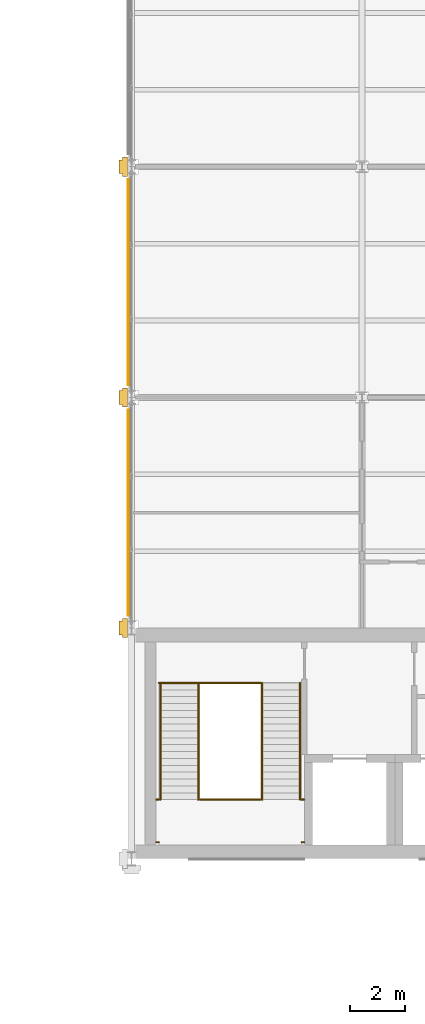
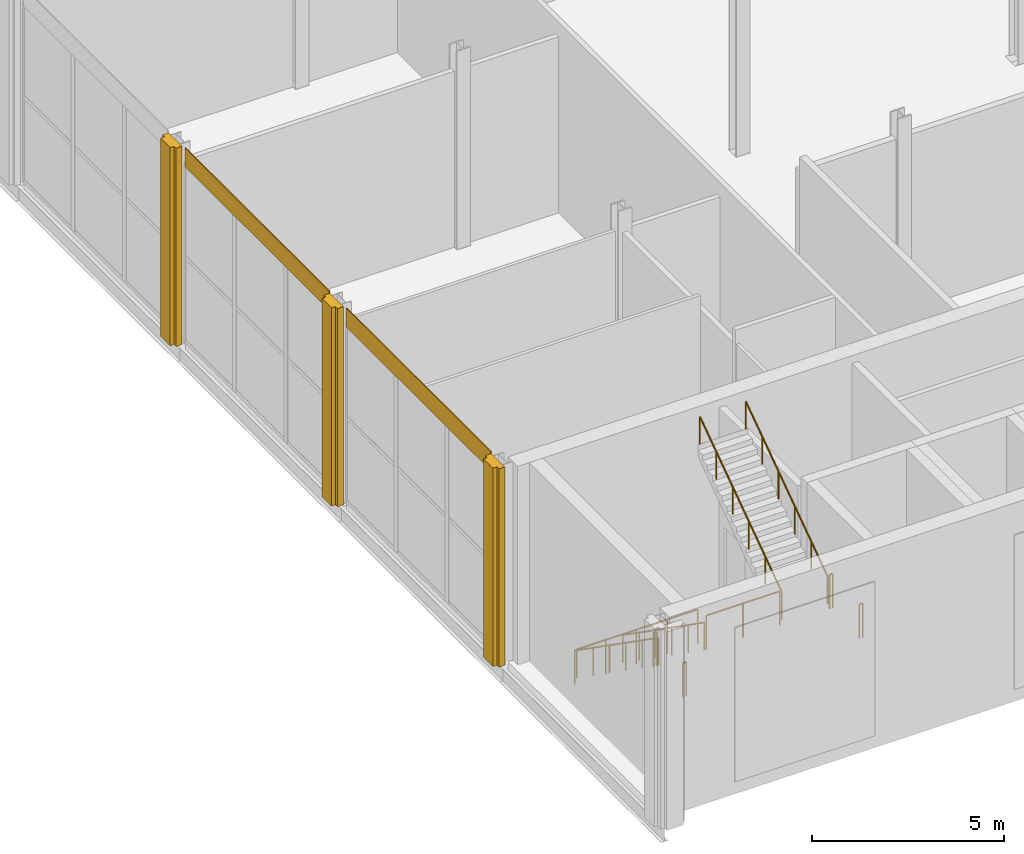
# One storey, part 72 of 77: 10 railings, 5 coverings.
"""IFC4 building model written with IfcOpenShell, lengths in metres."""

from ifc_helpers import new_model, si_unit, direction, frame, origin, origin_2d, place, context, subcontext, project, spatial, polyline, rectangle, circle, outline, extrude, material, layer, layer_set, type_object, element, save


model = new_model("IFC4")

# Units and contexts
model_context = context("Model", 3, precision=1e-05, world=origin(), true_north=direction((0.0, 1.0)))
body_context = subcontext(model_context, "Body", "Model", "MODEL_VIEW")
ifc_project = project(units=[si_unit("LENGTHUNIT", "METRE"), si_unit("AREAUNIT", "SQUARE_METRE"), si_unit("VOLUMEUNIT", "CUBIC_METRE"), si_unit("PLANEANGLEUNIT", "RADIAN"), si_unit("MASSUNIT", "GRAM", prefix="KILO")], contexts=[model_context])

# Site, building, storey
site_placement = place(None, origin())
site = spatial("IfcSite", under=ifc_project, at=site_placement, CompositionType="ELEMENT")
building_placement = place(site_placement, origin())
building = spatial("IfcBuilding", under=site, at=building_placement, Name="Catenary Quay Ferry Terminal", CompositionType="ELEMENT")
storey_placement = place(building_placement, frame((0.0, 0.0, 10.800048828125)))
storey = spatial("IfcBuildingStorey", under=building, at=storey_placement, Name="L02", CompositionType="ELEMENT", Elevation=10.800048828125)

# Coverings
ifc_material_1 = material(Name="Ceramic tile")
ifc_layer_1 = layer(ifc_material_1, 0.0400390625)
ifc_layer_set_1 = layer_set([ifc_layer_1], Name="CL2")
covering_type_1 = type_object("IfcCoveringType", Name="CL2", PredefinedType="CLADDING", material=ifc_layer_set_1)
covering_1_placement = place(storey_placement, origin())
element("IfcCovering", 1, at=covering_1_placement, inside=storey, type_object=covering_type_1, Name="Ceramic pier casing", PredefinedType="CLADDING", context=body_context, shape_type="SweptSolid", body=[
    extrude(outline(polyline([(25.050048828125, 168.35009765625), (24.8701171875, 168.35009765625), (24.8701171875, 168.25), (24.75, 168.25), (24.75, 167.75), (24.8701171875, 167.75), (24.8701171875, 167.64990234375), (25.050048828125, 167.64990234375), (25.050048828125, 168.35009765625)])), origin(), (0.0, 0.0, 1.0), 6.300048828125),
])
covering_2_placement = place(storey_placement, origin())
element("IfcCovering", 2, at=covering_2_placement, inside=storey, type_object=covering_type_1, Name="Ceramic pier casing", PredefinedType="CLADDING", context=body_context, shape_type="SweptSolid", body=[
    extrude(outline(polyline([(25.050048828125, 176.75), (24.8701171875, 176.75), (24.8701171875, 176.64990234375), (24.75, 176.64990234375), (24.75, 176.14990234375), (24.8701171875, 176.14990234375), (24.8701171875, 176.050048828125), (25.050048828125, 176.050048828125), (25.050048828125, 176.75)])), origin(), (0.0, 0.0, 1.0), 6.300048828125),
])
covering_3_placement = place(storey_placement, origin())
element("IfcCovering", 3, at=covering_3_placement, inside=storey, type_object=covering_type_1, Name="Ceramic pier casing", PredefinedType="CLADDING", context=body_context, shape_type="SweptSolid", body=[
    extrude(outline(polyline([(25.050048828125, 185.14990234375), (24.8701171875, 185.14990234375), (24.8701171875, 185.050048828125), (24.75, 185.050048828125), (24.75, 184.550048828125), (24.8701171875, 184.550048828125), (24.8701171875, 184.449951171875), (25.050048828125, 184.449951171875), (25.050048828125, 185.14990234375)])), origin(), (0.0, 0.0, 1.0), 6.300048828125),
])
ifc_material_2 = material(Name="Glazed ceramic tile, ochre")
ifc_layer_2 = layer(ifc_material_2, 0.030029296875)
ifc_layer_set_2 = layer_set([ifc_layer_2], Name="CL6")
covering_type_2 = type_object("IfcCoveringType", Name="CL6", PredefinedType="CLADDING", material=ifc_layer_set_2)
for number, where, z_axis, x_axis, name in (
    (4, (25.090087890625, 172.199951171875, 5.699951171875), (0.0, 0.0, 1.0), (1.0, 0.0, 0.0), "Band wing v25.2 cladding CV337"),
    (5, (25.090087890625, 180.60009765625, 5.699951171875), (0.0, 0.0, 1.0), (1.0, 0.0, 0.0), "Band wing v25.2 cladding CV338"),
):
    element("IfcCovering", number, at=place(storey_placement, frame(where, z_axis=z_axis, x_axis=x_axis)), inside=storey, type_object=covering_type_2, Name=name, PredefinedType="CLADDING", context=body_context, shape_type="SweptSolid", body=[
        extrude(rectangle(XDim=0.030029296875, YDim=7.5, at=origin_2d()), origin(), (0.0, 0.0, 1.0), 0.60009765625),
    ])

# Railings
ifc_material_3 = material(Name="Steel and glass", Category="steel")
railing_type_1 = type_object("IfcRailingType", Name="GI1", PredefinedType="GUARDRAIL", material=ifc_material_3)
railing_1_placement = place(storey_placement, frame((26.199951171875, 166.0, 0.0)))
element("IfcRailing", 6, at=railing_1_placement, inside=storey, type_object=railing_type_1, Name="HS2 well guard GI138", PredefinedType="GUARDRAIL", context=body_context, shape_type="SweptSolid", body=[
    extrude(circle(Radius=0.02392578125, at=origin_2d()), frame((0.0, 0.0, 1.076171875), z_axis=(1.0, 0.0, 0.0), x_axis=(0.0, 1.0, 0.0)), (0.0, 0.0, 1.0), 3.699951171875),
    extrude(circle(Radius=0.02099609375, at=origin_2d()), origin(), (0.0, 0.0, 1.0), 1.052001953125),
    extrude(circle(Radius=0.02099609375, at=origin_2d()), frame((0.925048828125, 0.0, 0.0)), (0.0, 0.0, 1.0), 1.052001953125),
    extrude(circle(Radius=0.02099609375, at=origin_2d()), frame((1.85009765625, 0.0, 0.0)), (0.0, 0.0, 1.0), 1.052001953125),
    extrude(circle(Radius=0.02099609375, at=origin_2d()), frame((2.77490234375, 0.0, 0.0)), (0.0, 0.0, 1.0), 1.052001953125),
    extrude(circle(Radius=0.02099609375, at=origin_2d()), frame((3.699951171875, 0.0, 0.0)), (0.0, 0.0, 1.0), 1.052001953125),
])
railing_2_placement = place(storey_placement, frame((27.699951171875, 161.75, 3.14990234375)))
element("IfcRailing", 7, at=railing_2_placement, inside=storey, type_object=railing_type_1, Name="HS2 landing guard GI153", PredefinedType="GUARDRAIL", context=body_context, shape_type="SweptSolid", body=[
    extrude(circle(Radius=0.02392578125, at=origin_2d()), frame((0.0, 0.0, 1.076171875), z_axis=(1.0, 0.0, 0.0), x_axis=(0.0, 1.0, 0.0)), (0.0, 0.0, 1.0), 2.199951171875),
    extrude(circle(Radius=0.02099609375, at=origin_2d()), origin(), (0.0, 0.0, 1.0), 1.052001953125),
    extrude(circle(Radius=0.02099609375, at=origin_2d()), frame((1.10009765625, 0.0, 0.0)), (0.0, 0.0, 1.0), 1.052001953125),
    extrude(circle(Radius=0.02099609375, at=origin_2d()), frame((2.199951171875, 0.0, 0.0)), (0.0, 0.0, 1.0), 1.052001953125),
])
railing_3_placement = place(storey_placement, frame((26.10009765625, 161.75, 3.14990234375)))
element("IfcRailing", 8, at=railing_3_placement, inside=storey, type_object=railing_type_1, Name="HS2 strip 0 guard GI154", PredefinedType="GUARDRAIL", context=body_context, shape_type="SweptSolid", body=[
    extrude(circle(Radius=0.02392578125, at=origin_2d()), frame((0.0, 0.0, 1.076171875), z_axis=(1.0, 0.0, 0.0), x_axis=(0.0, 1.0, 0.0)), (0.0, 0.0, 1.0), 0.099853515625),
    extrude(circle(Radius=0.02099609375, at=origin_2d()), origin(), (0.0, 0.0, 1.0), 1.052001953125),
    extrude(circle(Radius=0.02099609375, at=origin_2d()), frame((0.099853515625, 0.0, 0.0)), (0.0, 0.0, 1.0), 1.052001953125),
])
for number, where, name in (
    (9, (26.199951171875, 160.199951171875, 3.14990234375), "HS2 strip 0 guard GI155"),
    (10, (31.5, 160.199951171875, 3.14990234375), "HS2 strip 0 guard GI156"),
):
    element("IfcRailing", number, at=place(storey_placement, frame(where)), inside=storey, type_object=railing_type_1, Name=name, PredefinedType="GUARDRAIL", context=body_context, shape_type="SweptSolid", body=[
        extrude(circle(Radius=0.02392578125, at=origin_2d()), frame((0.0, 0.0, 1.076171875), z_axis=(-1.0, 0.0, 0.0), x_axis=(0.0, -1.0, 0.0)), (0.0, 0.0, 1.0), 0.099853515625),
        extrude(circle(Radius=0.02099609375, at=origin_2d()), origin(), (0.0, 0.0, 1.0), 1.052001953125),
        extrude(circle(Radius=0.02099609375, at=origin_2d()), frame((-0.099853515625, 0.0, 0.0)), (0.0, 0.0, 1.0), 1.052001953125),
    ])
railing_4_placement = place(storey_placement, frame((31.400146484375, 161.75, 3.14990234375)))
element("IfcRailing", 11, at=railing_4_placement, inside=storey, type_object=railing_type_1, Name="HS2 strip 0 guard GI157", PredefinedType="GUARDRAIL", context=body_context, shape_type="SweptSolid", body=[
    extrude(circle(Radius=0.02392578125, at=origin_2d()), frame((0.0, 0.0, 1.076171875), z_axis=(1.0, 0.0, 0.0), x_axis=(0.0, 1.0, 0.0)), (0.0, 0.0, 1.0), 0.099853515625),
    extrude(circle(Radius=0.02099609375, at=origin_2d()), origin(), (0.0, 0.0, 1.0), 1.052001953125),
    extrude(circle(Radius=0.02099609375, at=origin_2d()), frame((0.099853515625, 0.0, 0.0)), (0.0, 0.0, 1.0), 1.052001953125),
])
ifc_material_4 = material(Name="Stainless steel", Category="steel")
railing_type_2 = type_object("IfcRailingType", Name="HR1", PredefinedType="HANDRAIL", material=ifc_material_4)
for number, where, name in (
    (12, (26.260009765625, 166.0, 0.175048828125), "HS2 F1A handrail HR148"),
    (13, (27.639892578125, 166.0, 0.175048828125), "HS2 F1B handrail HR149"),
):
    element("IfcRailing", number, at=place(storey_placement, frame(where)), inside=storey, type_object=railing_type_2, Name=name, PredefinedType="HANDRAIL", context=body_context, shape_type="SweptSolid", body=[
        extrude(circle(Radius=0.02392578125, at=origin_2d()), frame((0.0, 0.0, 0.8759765625), z_axis=(0.0, -0.819245185935, 0.573443393303), x_axis=(1.0, 0.0, 0.0)), (0.0, 0.0, 1.0), 5.187744140625),
        extrude(circle(Radius=0.02099609375, at=origin_2d()), origin(), (0.0, 0.0, 1.0), 0.851806640625),
        extrude(circle(Radius=0.02099609375, at=origin_2d()), frame((0.0, -0.85009765625, 0.594970703125)), (0.0, 0.0, 1.0), 0.851806640625),
        extrude(circle(Radius=0.02099609375, at=origin_2d()), frame((0.0, -1.699951171875, 1.18994140625)), (0.0, 0.0, 1.0), 0.851806640625),
        extrude(circle(Radius=0.02099609375, at=origin_2d()), frame((0.0, -2.550048828125, 1.784912109375)), (0.0, 0.0, 1.0), 0.851806640625),
        extrude(circle(Radius=0.02099609375, at=origin_2d()), frame((0.0, -3.39990234375, 2.3798828125)), (0.0, 0.0, 1.0), 0.851806640625),
        extrude(circle(Radius=0.02099609375, at=origin_2d()), frame((0.0, -4.25, 2.974853515625)), (0.0, 0.0, 1.0), 0.851806640625),
    ])
for number, where, name in (
    (14, (29.9599609375, 161.75, 3.324951171875), "HS2 F2A handrail HR150"),
    (15, (31.340087890625, 161.75, 3.324951171875), "HS2 F2B handrail HR151"),
):
    element("IfcRailing", number, at=place(storey_placement, frame(where)), inside=storey, type_object=railing_type_2, Name=name, PredefinedType="HANDRAIL", context=body_context, shape_type="SweptSolid", body=[
        extrude(circle(Radius=0.02392578125, at=origin_2d()), frame((0.0, 0.0, 0.8759765625), z_axis=(0.0, 0.819223076904, 0.573474977892), x_axis=(-1.0, 0.0, 0.0)), (0.0, 0.0, 1.0), 5.187744140625),
        extrude(circle(Radius=0.02099609375, at=origin_2d()), origin(), (0.0, 0.0, 1.0), 0.851806640625),
        extrude(circle(Radius=0.02099609375, at=origin_2d()), frame((0.0, 0.85009765625, 0.594970703125)), (0.0, 0.0, 1.0), 0.851806640625),
        extrude(circle(Radius=0.02099609375, at=origin_2d()), frame((0.0, 1.699951171875, 1.18994140625)), (0.0, 0.0, 1.0), 0.851806640625),
        extrude(circle(Radius=0.02099609375, at=origin_2d()), frame((0.0, 2.550048828125, 1.78515625)), (0.0, 0.0, 1.0), 0.851806640625),
        extrude(circle(Radius=0.02099609375, at=origin_2d()), frame((0.0, 3.39990234375, 2.380126953125)), (0.0, 0.0, 1.0), 0.851806640625),
        extrude(circle(Radius=0.02099609375, at=origin_2d()), frame((0.0, 4.25, 2.97509765625)), (0.0, 0.0, 1.0), 0.851806640625),
    ])

save(model, "model.ifc")
